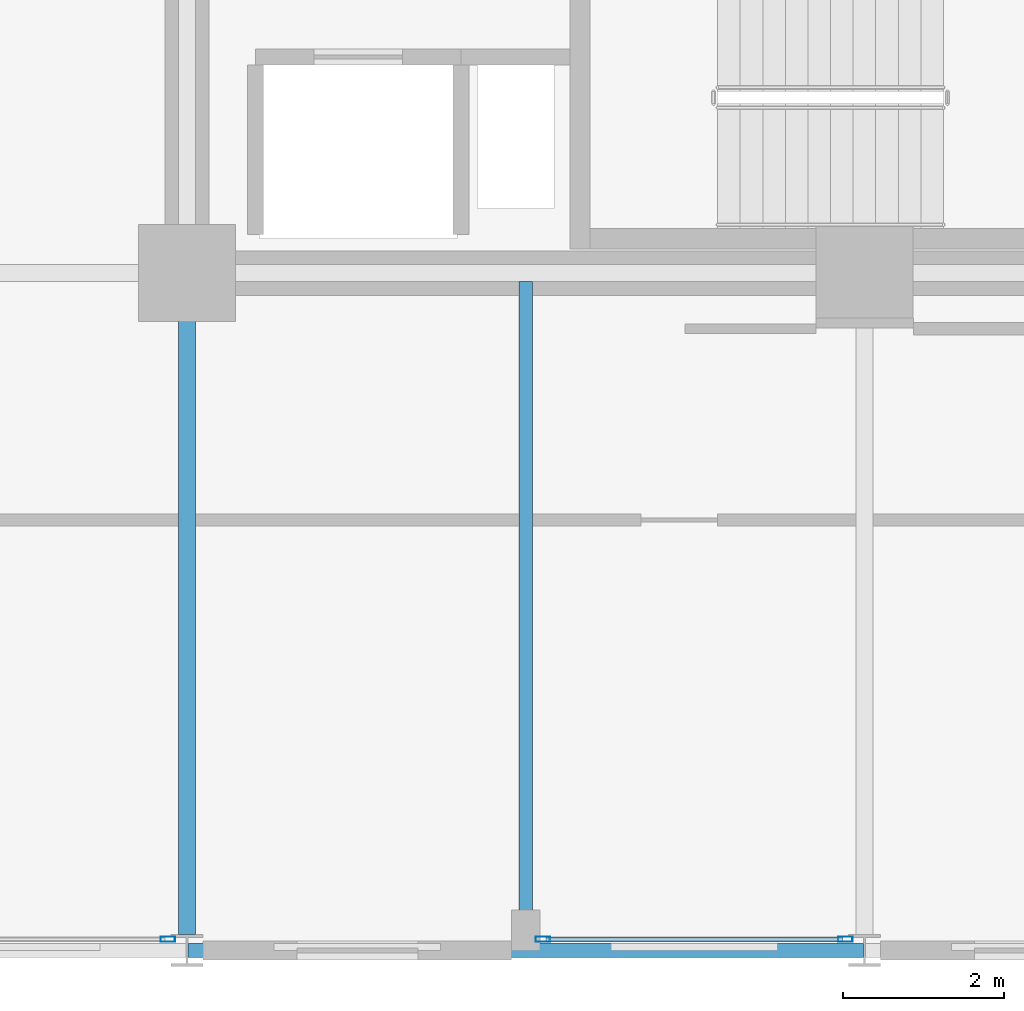
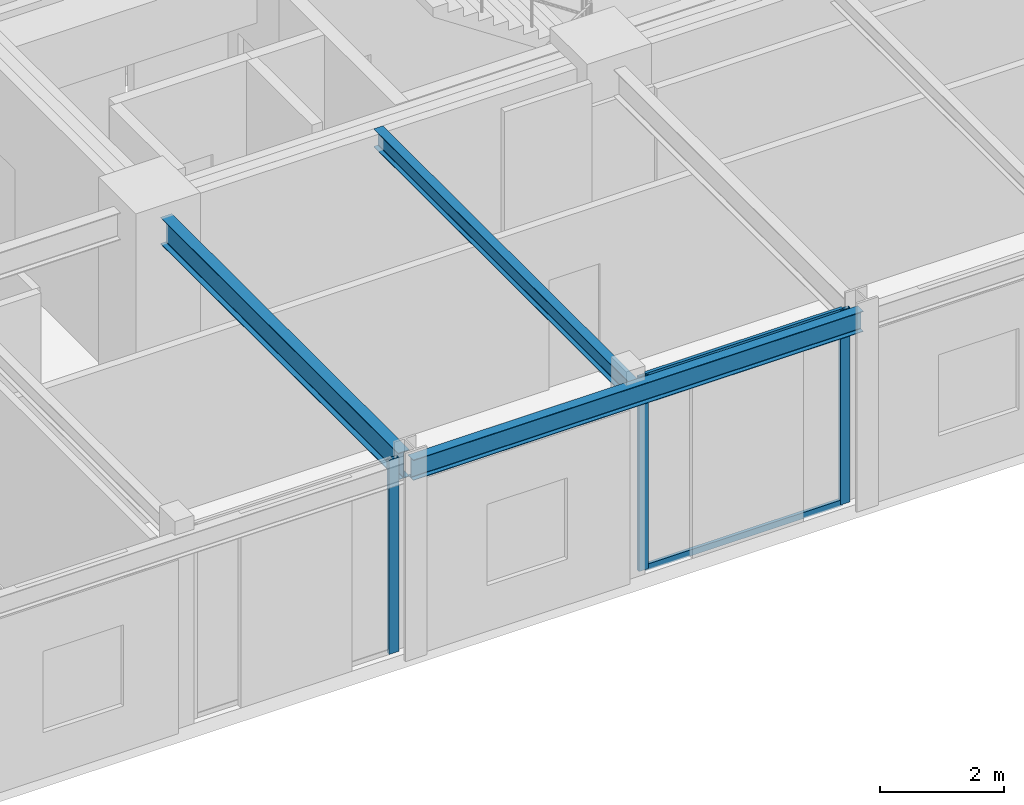
# One storey, part 8 of 38: 5 members, 3 beams, 2 elements without a shape of their own.
"""IFC4 building model written with IfcOpenShell, lengths in metres."""

from ifc_helpers import new_model, si_unit, direction, frame, origin, origin_2d, place, context, subcontext, project, spatial, hollow_rectangle, i_section, extrude, material, layer, layer_set, material_profile, profile_set, type_object, element, aggregate, save


model = new_model("IFC4")

# Units and contexts
model_context = context("Model", 3, precision=1e-05, world=origin(), true_north=direction((0.0, 1.0)))
body_context = subcontext(model_context, "Body", "Model", "MODEL_VIEW")
ifc_project = project(units=[si_unit("LENGTHUNIT", "METRE"), si_unit("AREAUNIT", "SQUARE_METRE"), si_unit("VOLUMEUNIT", "CUBIC_METRE"), si_unit("PLANEANGLEUNIT", "RADIAN"), si_unit("MASSUNIT", "GRAM", prefix="KILO")], contexts=[model_context])

# Site, building, storey
site_placement = place(None, origin())
site = spatial("IfcSite", under=ifc_project, at=site_placement, CompositionType="ELEMENT")
building_placement = place(site_placement, origin())
building = spatial("IfcBuilding", under=site, at=building_placement, Name="Nerrivon Quay Data Exchange", CompositionType="ELEMENT")
storey_placement = place(building_placement, frame((0.0, 0.0, 96.699951171875)))
storey = spatial("IfcBuildingStorey", under=building, at=storey_placement, Name="L22", CompositionType="ELEMENT", Elevation=96.699951171875)

# Beams
ifc_material_1 = material(Name="Steel Grade 350", Category="steel")
ifc_material_profile_1 = material_profile(ifc_material_1, i_section(OverallWidth=0.208984375, OverallDepth=0.528076171875, WebThickness=0.009521484375, FlangeThickness=0.01318359375, FilletRadius=0.013916015625, at=origin_2d()), Name="530UB82.0")
ifc_profile_set_1 = profile_set([ifc_material_profile_1], Name="Steel Grade 350")
beam_type_1 = type_object("IfcBeamType", Name="BM-G4-530UB82", PredefinedType="BEAM", material=ifc_profile_set_1)
beam_1_placement = place(storey_placement, frame((16.800048828125, 0.199951171875, 3.56103515625), z_axis=(0.0, 1.0, 0.0), x_axis=(-1.0, 0.0, 0.0)))
element("IfcBeam", 1, at=beam_1_placement, inside=storey, type_object=beam_type_1, Name="L22 NS Girder X=16.8 (0.0..8.4)", PredefinedType="BEAM", context=body_context, shape_type="SweptSolid", body=[
    extrude(i_section(OverallWidth=0.208984375, OverallDepth=0.528076171875, WebThickness=0.009521484375, FlangeThickness=0.01318359375, FilletRadius=0.013916015625, at=origin_2d()), origin(), (0.0, 0.0, 1.0), 7.66015625),
])
ifc_material_profile_2 = material_profile(ifc_material_1, i_section(OverallWidth=0.1708984375, OverallDepth=0.35595703125, WebThickness=0.00732421875, FlangeThickness=0.011474609375, FilletRadius=0.011474609375, at=origin_2d()), Name="360UB50.7")
ifc_profile_set_2 = profile_set([ifc_material_profile_2], Name="Steel Grade 350")
beam_type_2 = type_object("IfcBeamType", Name="BM-J4-360UB51", PredefinedType="JOIST", material=ifc_profile_set_2)
beam_2_placement = place(storey_placement, frame((21.0, 0.089111328125, 3.64697265625), z_axis=(0.0, 1.0, 0.0), x_axis=(-1.0, 0.0, 0.0)))
element("IfcBeam", 2, at=beam_2_placement, inside=storey, type_object=beam_type_2, Name="L22 Secondary Joist X=21.0 (0.0..8.4)", PredefinedType="JOIST", context=body_context, shape_type="SweptSolid", body=[
    extrude(i_section(OverallWidth=0.1708984375, OverallDepth=0.35595703125, WebThickness=0.00732421875, FlangeThickness=0.011474609375, FilletRadius=0.011474609375, at=origin_2d()), origin(), (0.0, 0.0, 1.0), 8.206298828125),
])
ifc_material_profile_3 = material_profile(ifc_material_1, i_section(OverallWidth=0.177978515625, OverallDepth=0.403076171875, WebThickness=0.007568359375, FlangeThickness=0.010986328125, FilletRadius=0.011474609375, at=origin_2d()), Name="410UB53.7")
ifc_profile_set_3 = profile_set([ifc_material_profile_3], Name="Steel Grade 350")
beam_type_3 = type_object("IfcBeamType", Name="BM-SP2-410UB54", PredefinedType="SPANDREL", material=ifc_profile_set_3)
beam_3_placement = place(storey_placement, frame((16.8125, 0.0, 3.62353515625), z_axis=(1.0, 0.0, 0.0), x_axis=(0.0, 1.0, 0.0)))
element("IfcBeam", 3, at=beam_3_placement, inside=storey, type_object=beam_type_3, Name="L22 EW Girder Y=0.0 (16.8..25.2)", PredefinedType="SPANDREL", context=body_context, shape_type="SweptSolid", body=[
    extrude(i_section(OverallWidth=0.177978515625, OverallDepth=0.403076171875, WebThickness=0.007568359375, FlangeThickness=0.010986328125, FilletRadius=0.011474609375, at=origin_2d()), origin(), (0.0, 0.0, 1.0), 8.375),
])

# Curtain wall, members
ifc_material_2 = material(Name="Anodised aluminium 6063-T6", Category="aluminium")
ifc_layer = layer(ifc_material_2, 0.2099609375)
ifc_layer_set = layer_set([ifc_layer], Name="Anodised aluminium 6063-T6")
curtain_wall_type = type_object("IfcCurtainWallType", Name="CW-SYS-02", PredefinedType="NOTDEFINED", material=ifc_layer_set)
curtain_wall_1_placement = place(storey_placement, origin())
curtain_wall_1 = element("IfcCurtainWall", 4, at=curtain_wall_1_placement, inside=storey, type_object=curtain_wall_type, Name="L22 Unitised Curtain Wall 10", PredefinedType="NOTDEFINED")
ifc_material_profile_4 = material_profile(ifc_material_2, hollow_rectangle(XDim=0.06494140625, YDim=0.179931640625, WallThickness=0.00341796875, at=origin_2d()), Name="ALU-MULL-180x65")
ifc_profile_set_4 = profile_set([ifc_material_profile_4], Name="Anodised aluminium 6063-T6")
member_type_1 = type_object("IfcMemberType", Name="CWM-180x65", PredefinedType="MULLION", material=ifc_profile_set_4)
member_1_placement = place(storey_placement, frame((24.96240234375, 0.139892578125, 0.0), z_axis=(0.0, 0.0, 1.0), x_axis=(0.0, -1.0, 0.0)))
member_1 = element("IfcMember", 5, at=member_1_placement, type_object=member_type_1, Name="CW02 mullion 1", PredefinedType="MULLION", context=body_context, shape_type="SweptSolid", body=[
    extrude(hollow_rectangle(XDim=0.06494140625, YDim=0.179931640625, WallThickness=0.00341796875, at=origin_2d()), origin(), (0.0, 0.0, 1.0), 3.824951171875),
])
member_2_placement = place(storey_placement, frame((21.21240234375, 0.139892578125, 0.0), z_axis=(0.0, 0.0, 1.0), x_axis=(0.0, -1.0, 0.0)))
member_2 = element("IfcMember", 6, at=member_2_placement, type_object=member_type_1, Name="CW02 mullion 2", PredefinedType="MULLION", context=body_context, shape_type="SweptSolid", body=[
    extrude(hollow_rectangle(XDim=0.06494140625, YDim=0.179931640625, WallThickness=0.00341796875, at=origin_2d()), origin(), (0.0, 0.0, 1.0), 3.824951171875),
])

# Curtain wall, member
curtain_wall_2_placement = place(storey_placement, origin())
curtain_wall_2 = element("IfcCurtainWall", 7, at=curtain_wall_2_placement, inside=storey, type_object=curtain_wall_type, Name="L22 Unitised Curtain Wall 12", PredefinedType="NOTDEFINED")
member_3_placement = place(storey_placement, frame((16.5625, 0.139892578125, 0.0), z_axis=(0.0, 0.0, 1.0), x_axis=(0.0, -1.0, 0.0)))
member_3 = element("IfcMember", 8, at=member_3_placement, type_object=member_type_1, Name="CW02 mullion 1", PredefinedType="MULLION", context=body_context, shape_type="SweptSolid", body=[
    extrude(hollow_rectangle(XDim=0.06494140625, YDim=0.179931640625, WallThickness=0.00341796875, at=origin_2d()), origin(), (0.0, 0.0, 1.0), 3.824951171875),
])
aggregate(curtain_wall_2, [member_3])

# Member
ifc_material_profile_5 = material_profile(ifc_material_2, hollow_rectangle(XDim=0.06005859375, YDim=0.1201171875, WallThickness=0.003173828125, at=origin_2d()), Name="ALU-TRAN-120x60")
ifc_profile_set_5 = profile_set([ifc_material_profile_5], Name="Anodised aluminium 6063-T6")
member_type_2 = type_object("IfcMemberType", Name="CWT-120x60", PredefinedType="USERDEFINED", material=ifc_profile_set_5)
member_4_placement = place(storey_placement, frame((24.925048828125, 0.139892578125, 0.032470703125), z_axis=(-1.0, 0.0, 0.0), x_axis=(0.0, -1.0, 0.0)))
member_4 = element("IfcMember", 9, at=member_4_placement, type_object=member_type_2, Name="CW02 transom 1.1", ObjectType="TRANSOM", PredefinedType="USERDEFINED", context=body_context, shape_type="SweptSolid", body=[
    extrude(hollow_rectangle(XDim=0.06005859375, YDim=0.1201171875, WallThickness=0.003173828125, at=origin_2d()), origin(), (0.0, 0.0, 1.0), 3.675048828125),
])

member_5_placement = place(storey_placement, frame((24.925048828125, 0.139892578125, 3.79248046875), z_axis=(-1.0, 0.0, 0.0), x_axis=(0.0, -1.0, 0.0)))
member_5 = element("IfcMember", 10, at=member_5_placement, type_object=member_type_2, Name="CW02 transom 1.2", ObjectType="TRANSOM", PredefinedType="USERDEFINED", context=body_context, shape_type="SweptSolid", body=[
    extrude(hollow_rectangle(XDim=0.06005859375, YDim=0.1201171875, WallThickness=0.003173828125, at=origin_2d()), origin(), (0.0, 0.0, 1.0), 3.675048828125),
])

aggregate(curtain_wall_1, [member_1, member_2, member_4, member_5])

save(model, "model.ifc")
